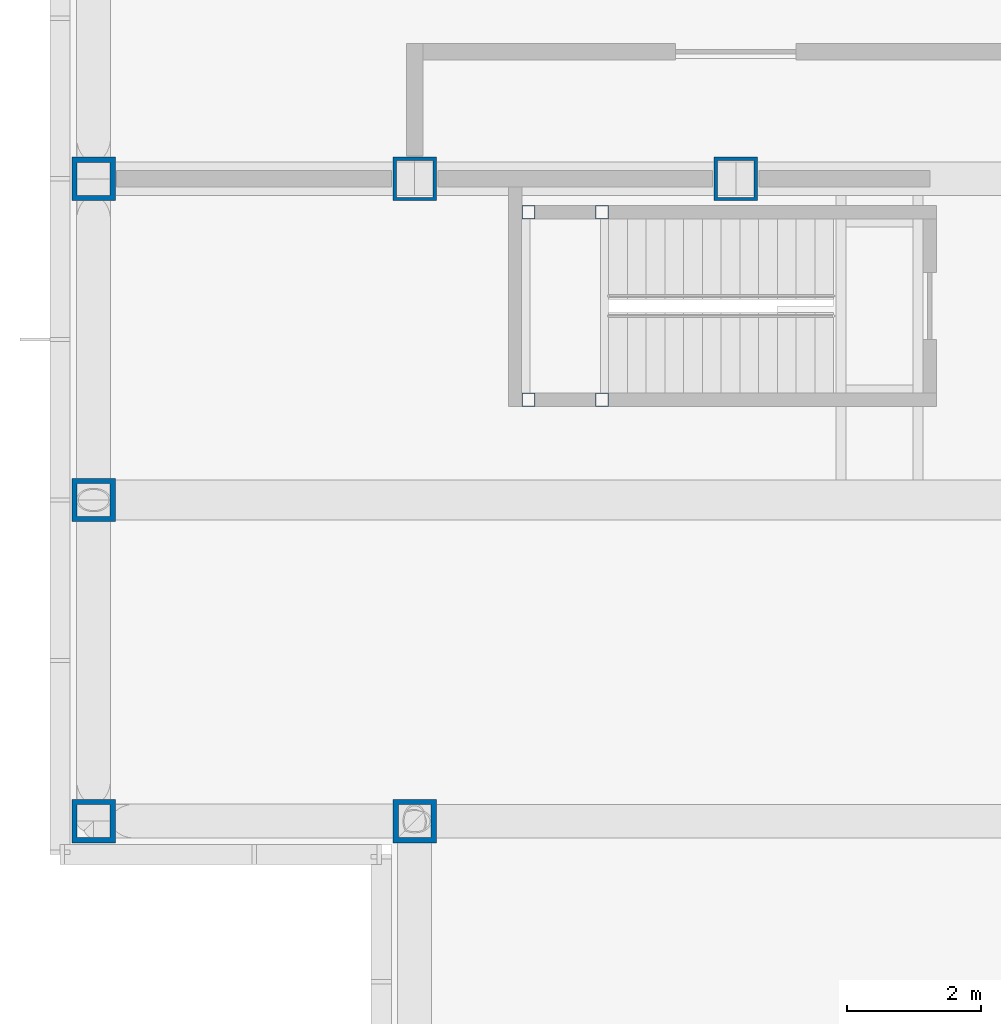
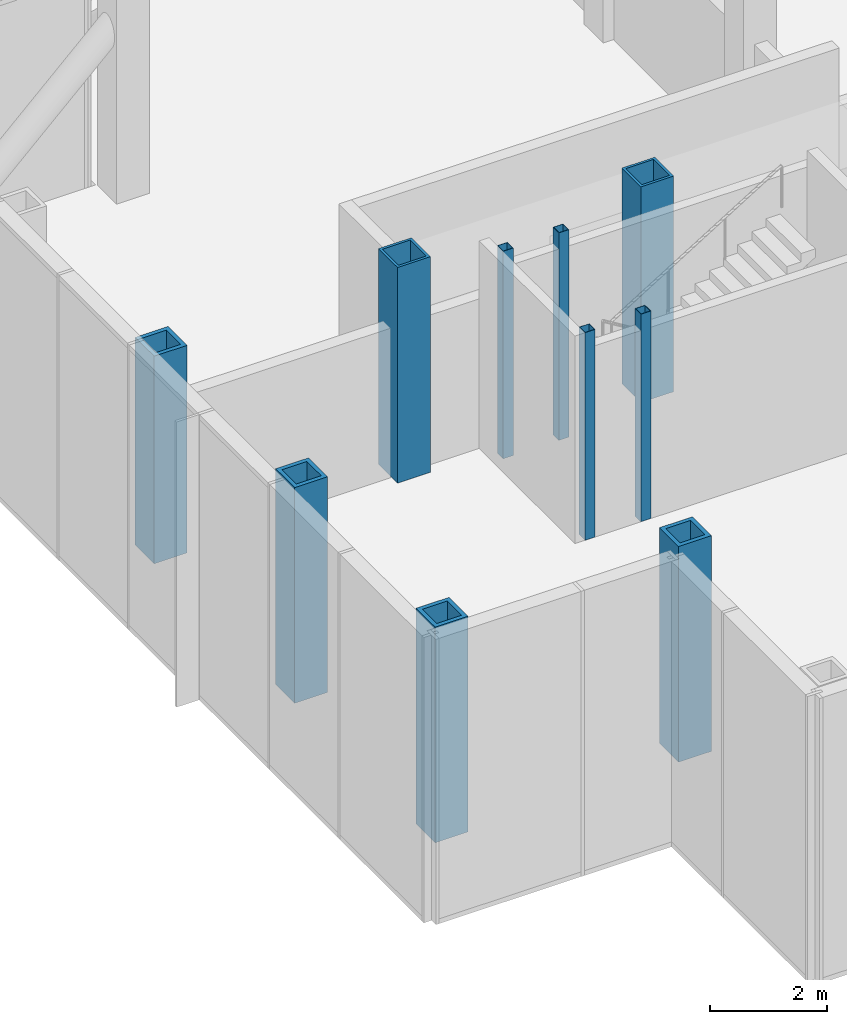
# One storey, part 3 of 17: 10 columns.
"""IFC4 building model written with IfcOpenShell, lengths in metres."""

from ifc_helpers import new_model, si_unit, direction, frame, origin, origin_2d, place, context, subcontext, project, spatial, hollow_rectangle, extrude, material, material_profile, profile_set, type_object, element, save


model = new_model("IFC4")

# Units and contexts
model_context = context("Model", 3, precision=1e-05, world=origin(), true_north=direction((0.0, 1.0)))
body_context = subcontext(model_context, "Body", "Model", "MODEL_VIEW")
ifc_project = project(units=[si_unit("LENGTHUNIT", "METRE"), si_unit("AREAUNIT", "SQUARE_METRE"), si_unit("VOLUMEUNIT", "CUBIC_METRE"), si_unit("PLANEANGLEUNIT", "RADIAN"), si_unit("MASSUNIT", "GRAM", prefix="KILO")], contexts=[model_context])

# Site, building, storey
site_placement = place(None, origin())
site = spatial("IfcSite", under=ifc_project, at=site_placement, CompositionType="ELEMENT")
building_placement = place(site_placement, origin())
building = spatial("IfcBuilding", under=site, at=building_placement, Name="Kvirike Care Tower", CompositionType="ELEMENT")
storey_placement = place(building_placement, frame((0.0, 0.0, 136.5)))
storey = spatial("IfcBuildingStorey", under=building, at=storey_placement, Name="L37", CompositionType="ELEMENT", Elevation=136.5)

# Columns
ifc_material_1 = material(Name="Steel S460", Category="steel")
ifc_material_profile_1 = material_profile(ifc_material_1, hollow_rectangle(XDim=0.64990234375, YDim=0.64990234375, WallThickness=0.050048828125, at=origin_2d()), Name="BX 650x650x50")
ifc_profile_set_1 = profile_set([ifc_material_profile_1], Name="Steel S460")
column_type_1 = type_object("IfcColumnType", Name="COLUMN BX 650x650x50", PredefinedType="COLUMN", material=ifc_profile_set_1)
for number, where, z_axis, x_axis, name in (
    (1, (4.800048828125, 43.199951171875, 0.0), (0.0, 0.0, 1.0), (0.0, 1.0, 0.0), "Column K4 L37"),
    (2, (9.60009765625, 43.199951171875, 0.0), (0.0, 0.0, 1.0), (0.0, 1.0, 0.0), "Column K5 L37"),
):
    element("IfcColumn", number, at=place(storey_placement, frame(where, z_axis=z_axis, x_axis=x_axis)), inside=storey, type_object=column_type_1, Name=name, PredefinedType="COLUMN", context=body_context, shape_type="SweptSolid", body=[
        extrude(hollow_rectangle(XDim=0.64990234375, YDim=0.64990234375, WallThickness=0.050048828125, at=origin_2d()), origin(), (0.0, 0.0, 1.0), 4.5),
    ])
ifc_material_2 = material(Name="Steel S460", Category="steel")
ifc_material_profile_2 = material_profile(ifc_material_2, hollow_rectangle(XDim=0.64990234375, YDim=0.64990234375, WallThickness=0.080078125, at=origin_2d()), Name="BX 650x650x80")
ifc_profile_set_2 = profile_set([ifc_material_profile_2], Name="Steel S460")
column_type_2 = type_object("IfcColumnType", Name="COLUMN BX 650x650x80", PredefinedType="COLUMN", material=ifc_profile_set_2)
for number, where, z_axis, x_axis, name in (
    (3, (0.0, 33.60009765625, 0.0), (0.0, 0.0, 1.0), (0.0, 1.0, 0.0), "Column H3 L37"),
    (4, (0.0, 38.39990234375, 0.0), (0.0, 0.0, 1.0), (1.0, 0.0, 0.0), "Column J3 L37"),
):
    element("IfcColumn", number, at=place(storey_placement, frame(where, z_axis=z_axis, x_axis=x_axis)), inside=storey, type_object=column_type_2, Name=name, PredefinedType="COLUMN", context=body_context, shape_type="SweptSolid", body=[
        extrude(hollow_rectangle(XDim=0.64990234375, YDim=0.64990234375, WallThickness=0.080078125, at=origin_2d()), origin(), (0.0, 0.0, 1.0), 4.5),
    ])
column_1_placement = place(storey_placement, frame((0.0, 43.199951171875, 0.0), z_axis=(0.0, 0.0, 1.0), x_axis=(0.0, 1.0, 0.0)))
element("IfcColumn", 5, at=column_1_placement, inside=storey, type_object=column_type_2, Name="Column K3 L37", PredefinedType="COLUMN", context=body_context, shape_type="SweptSolid", body=[
    extrude(hollow_rectangle(XDim=0.64990234375, YDim=0.64990234375, WallThickness=0.080078125, at=origin_2d()), origin(), (0.0, 0.0, 1.0), 4.330078125),
])
column_2_placement = place(storey_placement, frame((4.800048828125, 33.60009765625, 0.0), z_axis=(0.0, 0.0, 1.0), x_axis=(0.0, 1.0, 0.0)))
element("IfcColumn", 6, at=column_2_placement, inside=storey, type_object=column_type_2, Name="Column H4 L37", PredefinedType="COLUMN", context=body_context, shape_type="SweptSolid", body=[
    extrude(hollow_rectangle(XDim=0.64990234375, YDim=0.64990234375, WallThickness=0.080078125, at=origin_2d()), origin(), (0.0, 0.0, 1.0), 4.5),
])
ifc_material_3 = material(Name="Steel S460", Category="steel")
ifc_material_profile_3 = material_profile(ifc_material_3, hollow_rectangle(XDim=0.199951171875, YDim=0.199951171875, WallThickness=0.008056640625, at=origin_2d()), Name="SHS 200x200x8")
ifc_profile_set_3 = profile_set([ifc_material_profile_3], Name="Steel S460")
column_type_3 = type_object("IfcColumnType", Name="STAIR POST SHS 200x200x8", PredefinedType="COLUMN", material=ifc_profile_set_3)
for number, where, z_axis, x_axis, name in (
    (7, (6.5, 42.699951171875, 0.0), (0.0, 0.0, 1.0), (1.0, 0.0, 0.0), "Stair 1 post 1 L37"),
    (8, (6.5, 39.89990234375, 0.0), (0.0, 0.0, 1.0), (1.0, 0.0, 0.0), "Stair 1 post 2 L37"),
    (9, (7.60009765625, 42.699951171875, 0.0), (0.0, 0.0, 1.0), (1.0, 0.0, 0.0), "Stair 1 post 3 L37"),
    (10, (7.60009765625, 39.89990234375, 0.0), (0.0, 0.0, 1.0), (1.0, 0.0, 0.0), "Stair 1 post 4 L37"),
):
    element("IfcColumn", number, at=place(storey_placement, frame(where, z_axis=z_axis, x_axis=x_axis)), inside=storey, type_object=column_type_3, Name=name, PredefinedType="COLUMN", context=body_context, shape_type="SweptSolid", body=[
        extrude(hollow_rectangle(XDim=0.199951171875, YDim=0.199951171875, WallThickness=0.008056640625, at=origin_2d()), origin(), (0.0, 0.0, 1.0), 4.330078125),
    ])

save(model, "model.ifc")
